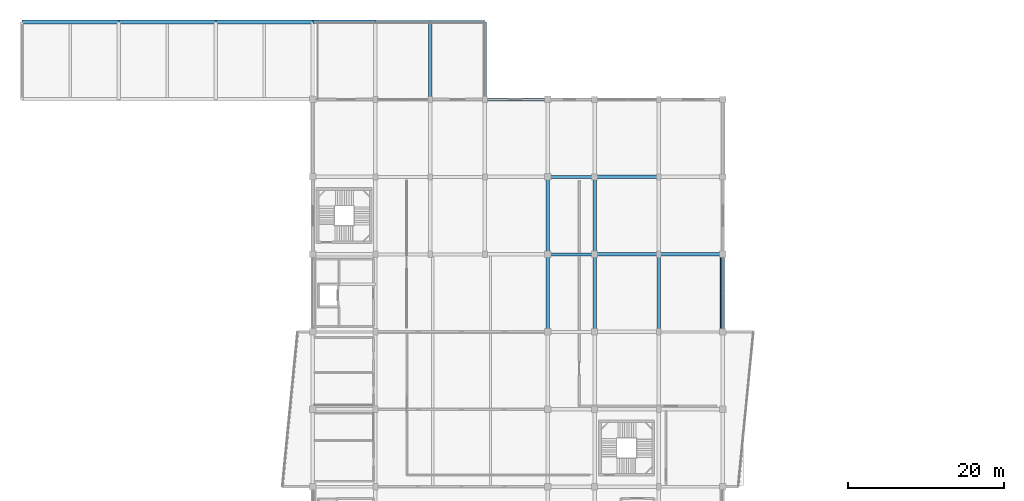
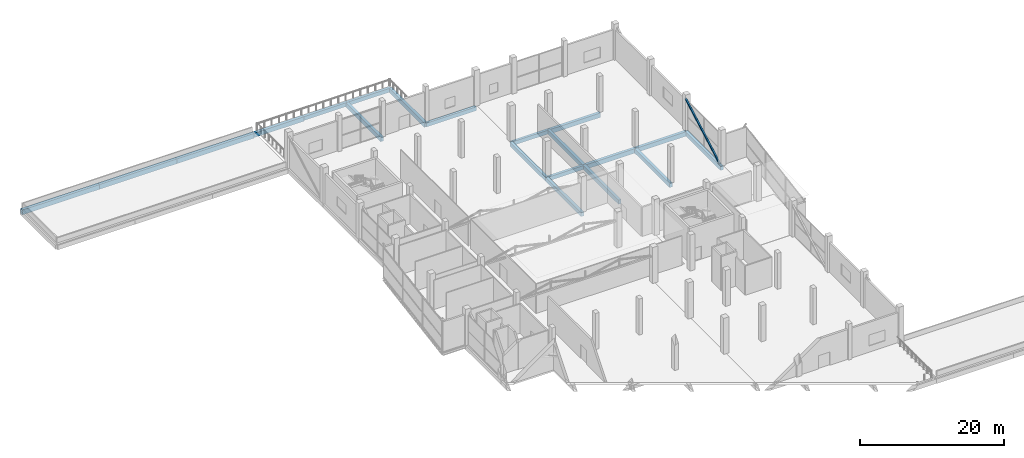
# One storey, part 30 of 58: 20 beams, 1 member.
"""IFC4 building model written with IfcOpenShell, lengths in metres."""

from ifc_helpers import new_model, si_unit, direction, frame, origin, origin_2d, place, context, subcontext, project, spatial, rectangle, hollow_rectangle, extrude, material, material_profile, profile_set, type_object, element, save


model = new_model("IFC4")

# Units and contexts
model_context = context("Model", 3, precision=1e-05, world=origin(), true_north=direction((0.0, 1.0)))
body_context = subcontext(model_context, "Body", "Model", "MODEL_VIEW")
ifc_project = project(units=[si_unit("LENGTHUNIT", "METRE"), si_unit("AREAUNIT", "SQUARE_METRE"), si_unit("VOLUMEUNIT", "CUBIC_METRE"), si_unit("PLANEANGLEUNIT", "RADIAN"), si_unit("MASSUNIT", "GRAM", prefix="KILO")], contexts=[model_context])

# Site, building, storey
site_placement = place(None, origin())
site = spatial("IfcSite", under=ifc_project, at=site_placement, CompositionType="ELEMENT")
building_placement = place(site_placement, origin())
building = spatial("IfcBuilding", under=site, at=building_placement, Name="Sillaruma Civic Art Gallery", CompositionType="ELEMENT")
storey_placement = place(building_placement, frame((0.0, 0.0, 22.43994140625)))
storey = spatial("IfcBuildingStorey", under=building, at=storey_placement, Name="L04", CompositionType="ELEMENT", Elevation=22.43994140625)

# Beams
ifc_material_1 = material(Name="Concrete H35 (35 MPa)", Category="concrete")
ifc_material_profile_1 = material_profile(ifc_material_1, rectangle(XDim=0.39990234375, YDim=0.64990234375, at=origin_2d()), Name="RCB400x650")
ifc_profile_set_1 = profile_set([ifc_material_profile_1], Name="Concrete H35 (35 MPa)")
beam_type_1 = type_object("IfcBeamType", Name="BM-BEAM-RCB400x650", PredefinedType="BEAM", material=ifc_profile_set_1)
for number, where, z_axis, x_axis, name in (
    (1, (92.0, 79.199951171875, -0.5849609375), (1.0, 0.0, 0.0), (0.0, 1.0, 0.0), "Beam BM-05 (L03:9:K-L)"),
    (2, (92.0, 89.10009765625, -0.5849609375), (1.0, 0.0, 0.0), (0.0, 1.0, 0.0), "Beam BM-05 (L03:10:K-L)"),
):
    element("IfcBeam", number, at=place(storey_placement, frame(where, z_axis=z_axis, x_axis=x_axis)), inside=storey, type_object=beam_type_1, Name=name, PredefinedType="BEAM", context=body_context, shape_type="SweptSolid", body=[
        extrude(rectangle(XDim=0.39990234375, YDim=0.64990234375, at=origin_2d()), origin(), (0.0, 0.0, 1.0), 6.0),
    ])
for number, where, z_axis, x_axis, name in (
    (3, (70.0, 108.89990234375, -0.5849609375), (1.0, 0.0, 0.0), (0.0, 1.0, 0.0), "Beam BM-05 (L03:12:G-H)"),
    (4, (77.0, 108.89990234375, -0.5849609375), (1.0, 0.0, 0.0), (0.0, 1.0, 0.0), "Beam BM-05 (L03:12:H-J)"),
):
    element("IfcBeam", number, at=place(storey_placement, frame(where, z_axis=z_axis, x_axis=x_axis)), inside=storey, type_object=beam_type_1, Name=name, PredefinedType="BEAM", context=body_context, shape_type="SweptSolid", body=[
        extrude(rectangle(XDim=0.39990234375, YDim=0.64990234375, at=origin_2d()), origin(), (0.0, 0.0, 1.0), 7.0),
    ])
ifc_material_2 = material(Name="Concrete H40 (40 MPa)", Category="concrete")
ifc_material_profile_2 = material_profile(ifc_material_2, rectangle(XDim=0.449951171875, YDim=0.75, at=origin_2d()), Name="RCB450x750")
ifc_profile_set_2 = profile_set([ifc_material_profile_2], Name="Concrete H40 (40 MPa)")
beam_type_2 = type_object("IfcBeamType", Name="BM-BEAM-RCB450x750", PredefinedType="BEAM", material=ifc_profile_set_2)
for number, where, z_axis, x_axis, name in (
    (5, (98.0, 79.199951171875, -0.635009765625), (1.0, 0.0, 0.0), (0.0, 1.0, 0.0), "Beam BM-03 (L03:9:L-M)"),
    (6, (106.199951171875, 79.199951171875, -0.635009765625), (1.0, 0.0, 0.0), (0.0, 1.0, 0.0), "Beam BM-03 (L03:9:M-N)"),
    (7, (98.0, 89.10009765625, -0.635009765625), (1.0, 0.0, 0.0), (0.0, 1.0, 0.0), "Beam BM-03 (L03:10:L-M)"),
):
    element("IfcBeam", number, at=place(storey_placement, frame(where, z_axis=z_axis, x_axis=x_axis)), inside=storey, type_object=beam_type_2, Name=name, PredefinedType="BEAM", context=body_context, shape_type="SweptSolid", body=[
        extrude(rectangle(XDim=0.449951171875, YDim=0.75, at=origin_2d()), origin(), (0.0, 0.0, 1.0), 8.199951171875),
    ])
beam_1_placement = place(storey_placement, frame((62.0, 108.89990234375, -0.635009765625), z_axis=(1.0, 0.0, 0.0), x_axis=(0.0, 1.0, 0.0)))
element("IfcBeam", 8, at=beam_1_placement, inside=storey, type_object=beam_type_2, Name="Beam BM-03 (L03:12:F-G)", PredefinedType="BEAM", context=body_context, shape_type="SweptSolid", body=[
    extrude(rectangle(XDim=0.449951171875, YDim=0.75, at=origin_2d()), origin(), (0.0, 0.0, 1.0), 8.0),
])
for number, where, z_axis, x_axis, name in (
    (9, (77.0, 99.0, -0.635009765625), (0.0, 1.0, 0.0), (-1.0, 0.0, 0.0), "Beam BM-03 (L03:H:11-12)"),
    (10, (84.0, 99.0, -0.635009765625), (0.0, 1.0, 0.0), (-1.0, 0.0, 0.0), "Beam BM-03 (L03:J:11-12)"),
    (11, (106.199951171875, 69.300048828125, -0.635009765625), (0.0, 1.0, 0.0), (-1.0, 0.0, 0.0), "Beam BM-03 (L03:M:8-9)"),
):
    element("IfcBeam", number, at=place(storey_placement, frame(where, z_axis=z_axis, x_axis=x_axis)), inside=storey, type_object=beam_type_2, Name=name, PredefinedType="BEAM", context=body_context, shape_type="SweptSolid", body=[
        extrude(rectangle(XDim=0.449951171875, YDim=0.75, at=origin_2d()), origin(), (0.0, 0.0, 1.0), 9.89990234375),
    ])
ifc_material_profile_3 = material_profile(ifc_material_2, rectangle(XDim=0.5, YDim=0.800048828125, at=origin_2d()), Name="RCB500x800")
ifc_profile_set_3 = profile_set([ifc_material_profile_3], Name="Concrete H40 (40 MPa)")
beam_type_3 = type_object("IfcBeamType", Name="BM-BEAM-RCB500x800", PredefinedType="BEAM", material=ifc_profile_set_3)
beam_2_placement = place(storey_placement, frame((24.800048828125, 108.89990234375, -0.659912109375), z_axis=(1.0, 0.0, 0.0), x_axis=(0.0, 1.0, 0.0)))
element("IfcBeam", 12, at=beam_2_placement, inside=storey, type_object=beam_type_3, Name="Beam BM-02 (L03:12:C-D)", PredefinedType="BEAM", context=body_context, shape_type="SweptSolid", body=[
    extrude(rectangle(XDim=0.5, YDim=0.800048828125, at=origin_2d()), origin(), (0.0, 0.0, 1.0), 12.39990234375),
])
beam_3_placement = place(storey_placement, frame((37.199951171875, 108.89990234375, -0.659912109375), z_axis=(1.0, 0.0, 0.0), x_axis=(0.0, 1.0, 0.0)))
element("IfcBeam", 13, at=beam_3_placement, inside=storey, type_object=beam_type_3, Name="Beam BM-02 (L03:12:D-E)", PredefinedType="BEAM", context=body_context, shape_type="SweptSolid", body=[
    extrude(rectangle(XDim=0.5, YDim=0.800048828125, at=origin_2d()), origin(), (0.0, 0.0, 1.0), 12.400146484375),
])
beam_4_placement = place(storey_placement, frame((49.60009765625, 108.89990234375, -0.659912109375), z_axis=(1.0, 0.0, 0.0), x_axis=(0.0, 1.0, 0.0)))
element("IfcBeam", 14, at=beam_4_placement, inside=storey, type_object=beam_type_3, Name="Beam BM-02 (L03:12:E-F)", PredefinedType="BEAM", context=body_context, shape_type="SweptSolid", body=[
    extrude(rectangle(XDim=0.5, YDim=0.800048828125, at=origin_2d()), origin(), (0.0, 0.0, 1.0), 12.39990234375),
])
ifc_material_profile_4 = material_profile(ifc_material_1, rectangle(XDim=0.39990234375, YDim=0.64990234375, at=origin_2d()), Name="RCB400x650")
ifc_profile_set_4 = profile_set([ifc_material_profile_4], Name="Concrete H35 (35 MPa)")
beam_type_4 = type_object("IfcBeamType", Name="BM-SPANDREL-RCB400x650", PredefinedType="SPANDREL", material=ifc_profile_set_4)
beam_5_placement = place(storey_placement, frame((84.0, 99.0, -0.5849609375), z_axis=(1.0, 0.0, 0.0), x_axis=(0.0, 1.0, 0.0)))
element("IfcBeam", 15, at=beam_5_placement, inside=storey, type_object=beam_type_4, Name="Beam BS-02 (L03:11:J-K)", PredefinedType="SPANDREL", context=body_context, shape_type="SweptSolid", body=[
    extrude(rectangle(XDim=0.39990234375, YDim=0.64990234375, at=origin_2d()), origin(), (0.0, 0.0, 1.0), 8.0),
])
ifc_material_profile_5 = material_profile(ifc_material_1, rectangle(XDim=0.449951171875, YDim=0.699951171875, at=origin_2d()), Name="RCB450x700")
ifc_profile_set_5 = profile_set([ifc_material_profile_5], Name="Concrete H35 (35 MPa)")
beam_type_5 = type_object("IfcBeamType", Name="BM-SPANDREL-RCB450x700", PredefinedType="SPANDREL", material=ifc_profile_set_5)
beam_6_placement = place(storey_placement, frame((92.0, 69.300048828125, -0.60986328125), z_axis=(0.0, 1.0, 0.0), x_axis=(-1.0, 0.0, 0.0)))
element("IfcBeam", 16, at=beam_6_placement, inside=storey, type_object=beam_type_5, Name="Beam BS-03 (L03:K:8-9)", PredefinedType="SPANDREL", context=body_context, shape_type="SweptSolid", body=[
    extrude(rectangle(XDim=0.449951171875, YDim=0.699951171875, at=origin_2d()), origin(), (0.0, 0.0, 1.0), 9.89990234375),
])
beam_7_placement = place(storey_placement, frame((92.0, 79.199951171875, -0.60986328125), z_axis=(0.0, 1.0, 0.0), x_axis=(-1.0, 0.0, 0.0)))
element("IfcBeam", 17, at=beam_7_placement, inside=storey, type_object=beam_type_5, Name="Beam BS-03 (L03:K:9-10)", PredefinedType="SPANDREL", context=body_context, shape_type="SweptSolid", body=[
    extrude(rectangle(XDim=0.449951171875, YDim=0.699951171875, at=origin_2d()), origin(), (0.0, 0.0, 1.0), 9.900146484375),
])
beam_8_placement = place(storey_placement, frame((98.0, 69.300048828125, -0.60986328125), z_axis=(0.0, 1.0, 0.0), x_axis=(-1.0, 0.0, 0.0)))
element("IfcBeam", 18, at=beam_8_placement, inside=storey, type_object=beam_type_5, Name="Beam BS-03 (L03:L:8-9)", PredefinedType="SPANDREL", context=body_context, shape_type="SweptSolid", body=[
    extrude(rectangle(XDim=0.449951171875, YDim=0.699951171875, at=origin_2d()), origin(), (0.0, 0.0, 1.0), 9.89990234375),
])
beam_9_placement = place(storey_placement, frame((98.0, 79.199951171875, -0.60986328125), z_axis=(0.0, 1.0, 0.0), x_axis=(-1.0, 0.0, 0.0)))
element("IfcBeam", 19, at=beam_9_placement, inside=storey, type_object=beam_type_5, Name="Beam BS-03 (L03:L:9-10)", PredefinedType="SPANDREL", context=body_context, shape_type="SweptSolid", body=[
    extrude(rectangle(XDim=0.449951171875, YDim=0.699951171875, at=origin_2d()), origin(), (0.0, 0.0, 1.0), 9.900146484375),
])
beam_10_placement = place(storey_placement, frame((114.39990234375, 69.300048828125, -0.60986328125), z_axis=(0.0, 1.0, 0.0), x_axis=(-1.0, 0.0, 0.0)))
element("IfcBeam", 20, at=beam_10_placement, inside=storey, type_object=beam_type_5, Name="Beam BS-03 (L03:N:8-9)", PredefinedType="SPANDREL", context=body_context, shape_type="SweptSolid", body=[
    extrude(rectangle(XDim=0.449951171875, YDim=0.699951171875, at=origin_2d()), origin(), (0.0, 0.0, 1.0), 9.89990234375),
])

# Member
ifc_material_3 = material(Name="Structural Steel ASTM A500 Gr.C", Category="steel")
ifc_material_profile_6 = material_profile(ifc_material_3, hollow_rectangle(XDim=0.25, YDim=0.25, WallThickness=0.012451171875, InnerFilletRadius=0.012451171875, OuterFilletRadius=0.02490234375, at=origin_2d()), Name="HSS250x250x12.5")
ifc_profile_set_6 = profile_set([ifc_material_profile_6], Name="Structural Steel ASTM A500 Gr.C")
member_type = type_object("IfcMemberType", Name="MEM-MEGA-BRACE", PredefinedType="BRACE", material=ifc_profile_set_6)
member_placement = place(storey_placement, frame((114.14990234375, 69.47998046875, 0.1201171875), z_axis=(0.0, 0.873386545904, 0.487027659823), x_axis=(-1.0, 0.0, 0.0)))
element("IfcMember", 21, at=member_placement, inside=storey, type_object=member_type, Name="Gallery Spine Diagonal Steel Brace (L04-E2)", PredefinedType="BRACE", context=body_context, shape_type="SweptSolid", body=[
    extrude(hollow_rectangle(XDim=0.25, YDim=0.25, WallThickness=0.012451171875, InnerFilletRadius=0.012451171875, OuterFilletRadius=0.02490234375, at=origin_2d()), origin(), (0.0, 0.0, 1.0), 10.923095703125),
])

save(model, "model.ifc")
